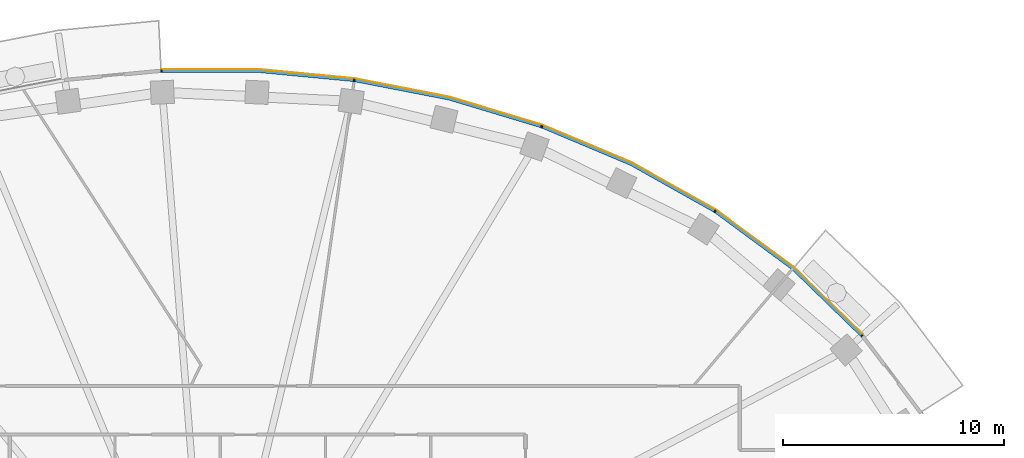
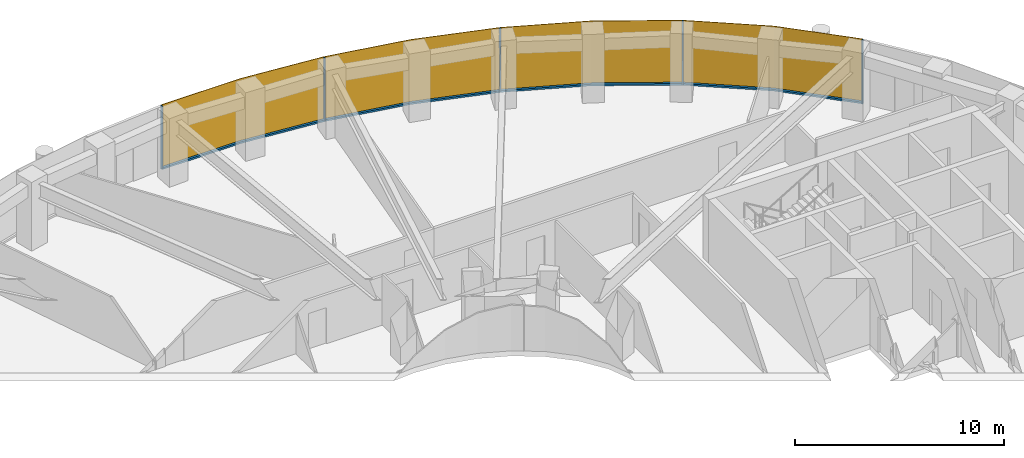
# One storey, part 13 of 16: 9 members, 1 curtain wall.
"""IFC4 building model written with IfcOpenShell, lengths in metres."""

from ifc_helpers import new_model, si_unit, direction, frame, origin, origin_2d, place, context, subcontext, project, spatial, polyline, rectangle, outline, extrude, material, layer, layer_set, material_profile, profile_set, type_object, element, aggregate, save


model = new_model("IFC4")

# Units and contexts
model_context = context("Model", 3, precision=1e-05, world=origin(), true_north=direction((0.0, 1.0)))
body_context = subcontext(model_context, "Body", "Model", "MODEL_VIEW")
ifc_project = project(units=[si_unit("LENGTHUNIT", "METRE"), si_unit("AREAUNIT", "SQUARE_METRE"), si_unit("VOLUMEUNIT", "CUBIC_METRE"), si_unit("PLANEANGLEUNIT", "RADIAN"), si_unit("MASSUNIT", "GRAM", prefix="KILO")], contexts=[model_context])

# Member
ifc_material_1 = material(Name="Aluminium 6063-T6 black anodised", Category="aluminium")
ifc_material_profile = material_profile(ifc_material_1, rectangle(XDim=0.1201171875, YDim=0.06005859375, at=origin_2d()), Name="120x60")
ifc_profile_set = profile_set([ifc_material_profile], Name="Aluminium 6063-T6 black anodised")
member_type_1 = type_object("IfcMemberType", Name="ENV-MULLION-A-120", PredefinedType="MULLION", material=ifc_profile_set)
site_placement = place(None, origin())
building_placement = place(site_placement, origin())
storey_placement = place(building_placement, frame((0.0, 0.0, 281.5)))
member_1_placement = place(storey_placement, frame((29.53857421875, 15.8671875, 0.0), z_axis=(0.0, 0.0, 1.0), x_axis=(-0.749047221705, -0.662516610853, 0.0)))
member_1 = element("IfcMember", 1, at=member_1_placement, type_object=member_type_1, Name="Mullion A radial 05", PredefinedType="MULLION", context=body_context, shape_type="SweptSolid", body=[
    extrude(rectangle(XDim=0.1201171875, YDim=0.06005859375, at=origin_2d()), origin(), (0.0, 0.0, 1.0), 3.699951171875),
])

member_2_placement = place(storey_placement, frame((22.882568359375, 21.506591796875, 0.0), z_axis=(0.0, 0.0, 1.0), x_axis=(-0.542279153225, -0.840198381323, 0.0)))
member_2 = element("IfcMember", 2, at=member_2_placement, type_object=member_type_1, Name="Mullion A radial 07", PredefinedType="MULLION", context=body_context, shape_type="SweptSolid", body=[
    extrude(rectangle(XDim=0.1201171875, YDim=0.06005859375, at=origin_2d()), origin(), (0.0, 0.0, 1.0), 3.699951171875),
])

member_3_placement = place(storey_placement, frame((15.0341796875, 25.34375, 0.0), z_axis=(0.0, 0.0, 1.0), x_axis=(-0.338379256581, -0.941009818608, 0.0)))
member_3 = element("IfcMember", 3, at=member_3_placement, type_object=member_type_1, Name="Mullion A radial 09", PredefinedType="MULLION", context=body_context, shape_type="SweptSolid", body=[
    extrude(rectangle(XDim=0.1201171875, YDim=0.06005859375, at=origin_2d()), origin(), (0.0, 0.0, 1.0), 3.699951171875),
])

member_4_placement = place(storey_placement, frame((6.54638671875, 27.440185546875, 0.0), z_axis=(0.0, 0.0, 1.0), x_axis=(-0.143082012705, -0.989710835366, 0.0)))
member_4 = element("IfcMember", 4, at=member_4_placement, type_object=member_type_1, Name="Mullion A radial 11", PredefinedType="MULLION", context=body_context, shape_type="SweptSolid", body=[
    extrude(rectangle(XDim=0.1201171875, YDim=0.06005859375, at=origin_2d()), origin(), (0.0, 0.0, 1.0), 3.699951171875),
])

member_5_placement = place(storey_placement, frame((-2.188720703125, 27.856201171875, 0.0), z_axis=(0.0, 0.0, 1.0), x_axis=(0.047557873581, -0.998868484166, 0.0)))
member_5 = element("IfcMember", 5, at=member_5_placement, type_object=member_type_1, Name="Mullion A radial 13", PredefinedType="MULLION", context=body_context, shape_type="SweptSolid", body=[
    extrude(rectangle(XDim=0.1201171875, YDim=0.06005859375, at=origin_2d()), origin(), (0.0, 0.0, 1.0), 3.699951171875),
])

ifc_material_2 = material(Name="Aluminium 6063-T6 black anodised", Category="aluminium")
member_type_2 = type_object("IfcMemberType", Name="ENV-TRANSOM-A", PredefinedType="USERDEFINED", material=ifc_material_2)
member_6_placement = place(storey_placement, origin())
member_6 = element("IfcMember", 6, at=member_6_placement, type_object=member_type_2, Name="Transom A radial 05-07", ObjectType="TRANSOM", PredefinedType="USERDEFINED", context=body_context, shape_type="SweptSolid", body=[
    extrude(outline(polyline([(29.5634765625, 15.926513671875), (26.4423828125, 18.958740234375), (22.937744140625, 21.540283203125), (22.87255859375, 21.439208984375), (26.364501953125, 18.866943359375), (29.473388671875, 15.8466796875), (29.5634765625, 15.926513671875)])), origin(), (0.0, 0.0, 1.0), 0.10009765625),
])

member_7_placement = place(storey_placement, origin())
member_7 = element("IfcMember", 7, at=member_7_placement, type_object=member_type_2, Name="Transom A radial 07-09", ObjectType="TRANSOM", PredefinedType="USERDEFINED", context=body_context, shape_type="SweptSolid", body=[
    extrude(outline(polyline([(22.890625, 21.570556640625), (19.093994140625, 23.701416015625), (15.080322265625, 25.389404296875), (15.03955078125, 25.276123046875), (19.041259765625, 23.593505859375), (22.825439453125, 21.469482421875), (22.890625, 21.570556640625)])), origin(), (0.0, 0.0, 1.0), 0.10009765625),
])

member_8_placement = place(storey_placement, origin())
member_8 = element("IfcMember", 8, at=member_8_placement, type_object=member_type_2, Name="Transom A radial 09-11", ObjectType="TRANSOM", PredefinedType="USERDEFINED", context=body_context, shape_type="SweptSolid", body=[
    extrude(outline(polyline([(15.027587890625, 25.408203125), (10.857666015625, 26.6630859375), (6.58251953125, 27.494140625), (6.5654296875, 27.375244140625), (10.828857421875, 26.54638671875), (14.987060546875, 25.295166015625), (15.027587890625, 25.408203125)])), origin(), (0.0, 0.0, 1.0), 0.10009765625),
])

member_9_placement = place(storey_placement, origin())
member_9 = element("IfcMember", 9, at=member_9_placement, type_object=member_type_2, Name="Transom A radial 11-13", ObjectType="TRANSOM", PredefinedType="USERDEFINED", context=body_context, shape_type="SweptSolid", body=[
    extrude(outline(polyline([(6.527099609375, 27.502197265625), (2.191650390625, 27.916015625), (-2.163818359375, 27.916015625), (-2.157958984375, 27.7958984375), (2.185791015625, 27.7958984375), (6.510009765625, 27.38330078125), (6.527099609375, 27.502197265625)])), origin(), (0.0, 0.0, 1.0), 0.10009765625),
])

# Site, building, storey
site = spatial("IfcSite", under=ifc_project, at=site_placement, CompositionType="ELEMENT")
building = spatial("IfcBuilding", under=site, at=building_placement, Name="Noorbagh Ring Tower", CompositionType="ELEMENT")
storey = spatial("IfcBuildingStorey", under=building, at=storey_placement, Name="L60", CompositionType="ELEMENT", Elevation=281.5)

# Curtain wall
ifc_material_3 = material(Name="Glass dark tinted laminated", Category="glass")
ifc_layer = layer(ifc_material_3, 0.031982421875)
ifc_layer_set = layer_set([ifc_layer], Name="Glass dark tinted laminated")
curtain_wall_type = type_object("IfcCurtainWallType", Name="ENV-CW-A", PredefinedType="NOTDEFINED", material=ifc_layer_set)
curtain_wall_placement = place(storey_placement, origin())
curtain_wall = element("IfcCurtainWall", 10, at=curtain_wall_placement, inside=storey, type_object=curtain_wall_type, Name="Curtain wall A R05", PredefinedType="NOTDEFINED", context=body_context, shape_type="SweptSolid", body=[
    extrude(outline(polyline([(29.59326171875, 15.942138671875), (26.463134765625, 18.9833984375), (22.9326171875, 21.583740234375), (19.108154296875, 23.730224609375), (15.065185546875, 25.430419921875), (10.865234375, 26.6943359375), (6.559814453125, 27.53125), (2.193115234375, 27.947998046875), (-2.173095703125, 27.947998046875), (-2.171630859375, 27.916015625), (2.191650390625, 27.916015625), (6.55517578125, 27.49951171875), (10.857666015625, 26.6630859375), (15.054443359375, 25.400146484375), (19.093994140625, 23.701416015625), (22.9150390625, 21.556884765625), (26.4423828125, 18.958740234375), (29.569091796875, 15.9208984375), (29.59326171875, 15.942138671875)])), origin(), (0.0, 0.0, 1.0), 3.699951171875),
])

aggregate(curtain_wall, [member_1, member_2, member_3, member_4, member_5, member_6, member_7, member_8, member_9])

save(model, "model.ifc")
